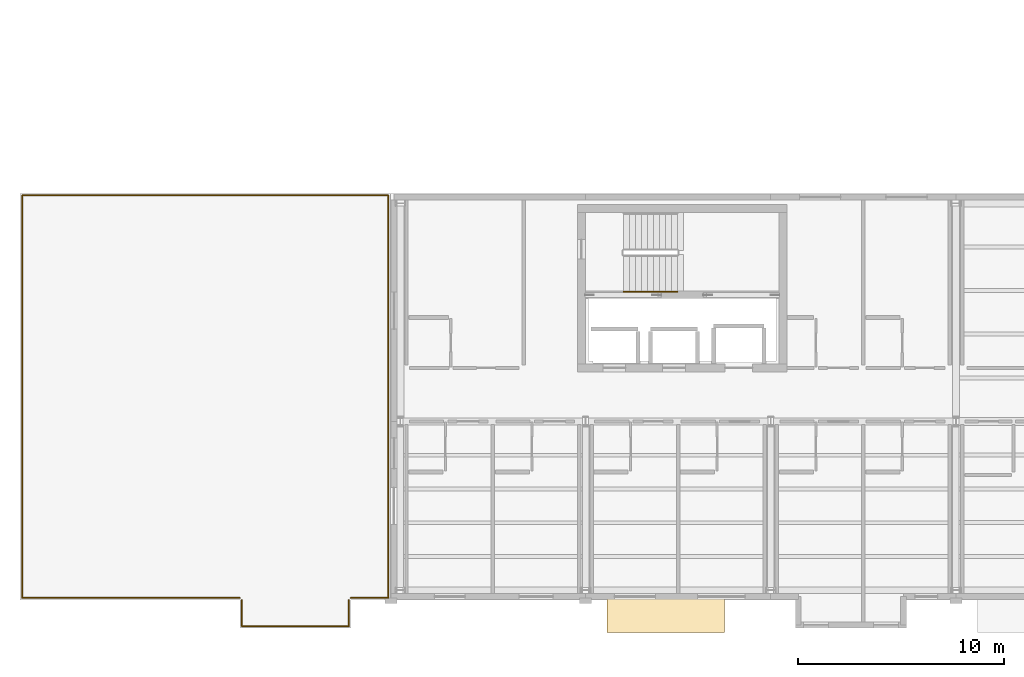
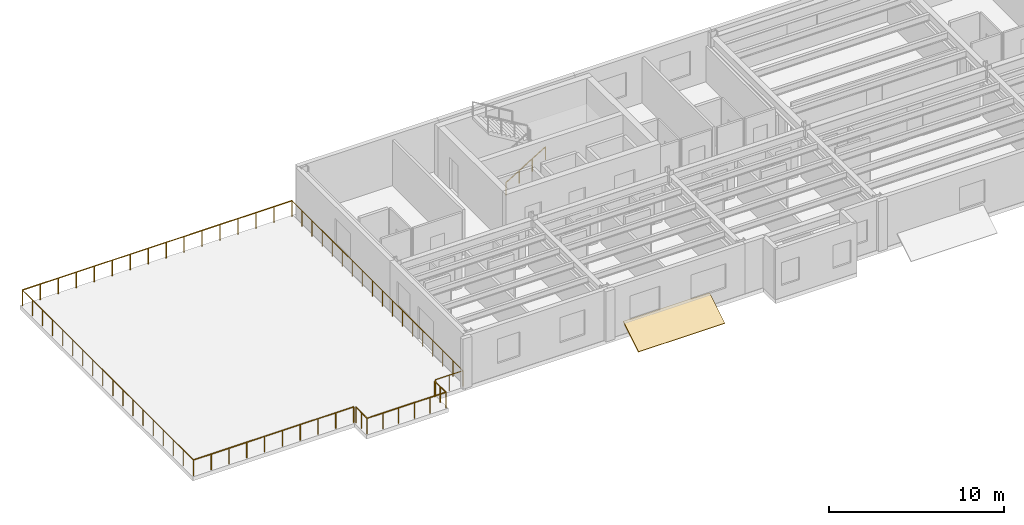
# One storey, part 14 of 17: 9 railings, 1 covering.
"""IFC4 building model written with IfcOpenShell, lengths in metres."""

import ifcopenshell
import ifcopenshell.guid

model = None  # the IFC model being written
_history = None  # IfcOwnerHistory: only IFC2X3 demands one
_inside = {}  # id of a spatial element -> (the spatial element, [elements in it])
_under = {}  # id of a project, library or spatial element -> (it, [spatial elements below it])
_declared = {}  # id of a project -> (the project, [libraries it declares])
_typed = {}  # id of a type object -> (the type object, [elements of that type])
_made_of = {}  # id of a material, layer set ... -> (it, [elements and type objects made of it])


def new_model(schema):
    """Start an empty IFC model of exactly this schema.

    Asked for "IFC4X3", IfcOpenShell would pick the latest addendum, in which some entities
    have other attributes; the version numbers below select the first issue.
    IFC2X3 requires an IfcOwnerHistory on every rooted entity: one is made here for all.
    """
    global model, _history
    if schema == "IFC4X3":
        model = ifcopenshell.file(schema_version=(4, 3, 0, 0))
    else:
        model = ifcopenshell.file(schema=schema)
    _inside.clear()
    _under.clear()
    _declared.clear()
    _typed.clear()
    _made_of.clear()
    _history = None
    if model.schema == "IFC2X3":
        org = make("IfcOrganization", Name="unknown")
        user = make(
            "IfcPersonAndOrganization",
            ThePerson=make("IfcPerson", FamilyName="unknown"),
            TheOrganization=org,
        )
        app = make(
            "IfcApplication",
            ApplicationDeveloper=org,
            Version="unknown",
            ApplicationFullName="unknown",
            ApplicationIdentifier="unknown",
        )
        _history = make(
            "IfcOwnerHistory",
            OwningUser=user,
            OwningApplication=app,
            ChangeAction="ADDED",
            CreationDate=0,
        )
    return model


def make(cls, **values):
    """One entity of the class cls with the attributes given. An attribute that is None is left unset."""
    return model.create_entity(
        cls, **{name: value for name, value in values.items() if value is not None}
    )


def rooted(cls, **values):
    """An entity with a GlobalId (a new one), such as an element, a storey or a relation."""
    return make(cls, GlobalId=ifcopenshell.guid.new(), OwnerHistory=_history, **values)


def si_unit(unit_type, name, prefix=None):
    """IfcSIUnit, for example si_unit("LENGTHUNIT", "METRE", prefix="MILLI")."""
    return make("IfcSIUnit", UnitType=unit_type, Prefix=prefix, Name=name)


def assignment(units):
    """IfcUnitAssignment: the units of a project."""
    return None if units is None else make("IfcUnitAssignment", Units=units)


def point(xyz):
    """IfcCartesianPoint."""
    return None if xyz is None else make("IfcCartesianPoint", Coordinates=xyz)


def direction(xyz):
    """IfcDirection."""
    return None if xyz is None else make("IfcDirection", DirectionRatios=xyz)


def frame(location, z_axis=None, x_axis=None):
    """IfcAxis2Placement3D, a coordinate frame: its origin and axes. An axis left out is left unset."""
    return make(
        "IfcAxis2Placement3D",
        Location=point(location),
        Axis=direction(z_axis),
        RefDirection=direction(x_axis),
    )


def frame_2d(location, x_axis=None):
    """IfcAxis2Placement2D, a coordinate frame in the plane: its origin and x axis."""
    return make(
        "IfcAxis2Placement2D", Location=point(location), RefDirection=direction(x_axis)
    )


def origin():
    """The frame at (0, 0, 0) with its axes left unset."""
    return frame((0.0, 0.0, 0.0))


def origin_2d():
    """The frame at (0, 0) in the plane with its x axis left unset."""
    return frame_2d((0.0, 0.0))


def place(relative_to, where):
    """IfcLocalPlacement: puts the frame where relative to a parent placement (None: the world)."""
    return make(
        "IfcLocalPlacement", PlacementRelTo=relative_to, RelativePlacement=where
    )


def context(
    kind, dimensions, precision=None, world=None, true_north=None, identifier=None
):
    """IfcGeometricRepresentationContext, for example the 3D "Model" context."""
    return make(
        "IfcGeometricRepresentationContext",
        ContextIdentifier=identifier,
        ContextType=kind,
        CoordinateSpaceDimension=dimensions,
        Precision=precision,
        WorldCoordinateSystem=world,
        TrueNorth=true_north,
    )


def subcontext(parent, identifier, kind, view, scale=None):
    """IfcGeometricRepresentationSubContext, for example "Body" below "Model"."""
    return make(
        "IfcGeometricRepresentationSubContext",
        ContextIdentifier=identifier,
        ContextType=kind,
        ParentContext=parent,
        TargetScale=scale,
        TargetView=view,
    )


def project(units=None, contexts=None):
    """IfcProject with its units and contexts."""
    return rooted(
        "IfcProject",
        Name="project",
        RepresentationContexts=contexts,
        UnitsInContext=assignment(units),
    )


def spatial(cls, under=None, at=None, **own):
    """A site, building, storey or space (cls), placed at a placement, below another one or the project."""
    s = rooted(cls, ObjectPlacement=at, **own)
    if under is not None:
        _under.setdefault(under.id(), (under, []))[1].append(s)
    return s


def polyline(points):
    """IfcPolyline through the points."""
    return make("IfcPolyline", Points=[point(p) for p in points])


def profile(cls, at=None, kind="AREA", **sizes):
    """A parametric profile (cls). Its sizes go by their IFC names, for example OverallWidth=200.0."""
    return make(cls, ProfileType=kind, Position=at, **sizes)


def circle(**sizes):
    """IfcCircleProfileDef."""
    return profile("IfcCircleProfileDef", **sizes)


def outline(outer, holes=None, kind="AREA"):
    """IfcArbitraryClosedProfileDef: a profile drawn as a closed curve; with holes, ...WithVoids."""
    if holes is None:
        return make("IfcArbitraryClosedProfileDef", ProfileType=kind, OuterCurve=outer)
    return make(
        "IfcArbitraryProfileDefWithVoids",
        ProfileType=kind,
        OuterCurve=outer,
        InnerCurves=holes,
    )


def extrude(swept, where, along, depth):
    """IfcExtrudedAreaSolid: the profile swept, set in the frame where, extruded along a direction by depth."""
    return make(
        "IfcExtrudedAreaSolid",
        SweptArea=swept,
        Position=where,
        ExtrudedDirection=direction(along),
        Depth=depth,
    )


def shape(context_of_items, identifier, shape_type, items):
    """IfcShapeRepresentation: the items that make up one representation, for example the "Body"."""
    return make(
        "IfcShapeRepresentation",
        ContextOfItems=context_of_items,
        RepresentationIdentifier=identifier,
        RepresentationType=shape_type,
        Items=items,
    )


def material(Name=None, Category=None):
    """IfcMaterial."""
    return make("IfcMaterial", Name=Name, Category=Category)


def layer(
    of_material, thickness, ventilated=None, Name=None, Category=None, Priority=None
):
    """IfcMaterialLayer: one layer of a wall or slab, of a material (None: an air gap)."""
    return make(
        "IfcMaterialLayer",
        Material=of_material,
        LayerThickness=thickness,
        IsVentilated=ventilated,
        Name=Name,
        Category=Category,
        Priority=Priority,
    )


def layer_set(layers, Name=None):
    """IfcMaterialLayerSet."""
    return make("IfcMaterialLayerSet", MaterialLayers=layers, LayerSetName=Name)


def made_of(thing, what):
    """Note that an element or type object is made of a material, layer set ...; save() writes the relation."""
    if what is not None:
        _made_of.setdefault(what.id(), (what, []))[1].append(thing)
    return thing


def type_object(cls, material=None, **own):
    """A type object (cls), such as IfcWallType, which elements share."""
    return made_of(rooted(cls, **own), material)


def element(
    cls,
    number,
    at=None,
    inside=None,
    cuts=None,
    type_object=None,
    material=None,
    context=None,
    identifier="Body",
    shape_type=None,
    held_by="IfcProductDefinitionShape",
    body=None,
    shapes=None,
    **own,
):
    """One element of the class cls, such as IfcWall. Its Tag is "e" and its number.

    at: its placement. inside: the storey or other place that contains it. cuts: it is an
    opening in that element (IfcRelVoidsElement). A single representation is given by context,
    identifier, shape_type and body (its items); several are given by shapes. held_by: the class
    of the entity that holds the representations. save() writes the other relations.
    """
    e = rooted(cls, Tag="e%d" % number, ObjectPlacement=at, **own)
    if body is not None:
        shapes = [shape(context, identifier, shape_type, body)]
    if shapes is not None:
        e.Representation = make(held_by, Representations=shapes)
    if inside is not None:
        _inside.setdefault(inside.id(), (inside, []))[1].append(e)
    if cuts is not None:
        rooted(
            "IfcRelVoidsElement", RelatingBuildingElement=cuts, RelatedOpeningElement=e
        )
    if type_object is not None:
        _typed.setdefault(type_object.id(), (type_object, []))[1].append(e)
    return made_of(e, material)


def aggregate(whole, parts):
    """IfcRelAggregates: a whole, such as a stair, and the parts it consists of."""
    return rooted("IfcRelAggregates", RelatingObject=whole, RelatedObjects=parts)


def save(model, path):
    """Write the relations noted so far, then the file.

    IfcRelAggregates (storeys below a building ...), IfcRelContainedInSpatialStructure (elements
    in a storey), IfcRelDefinesByType, IfcRelAssociatesMaterial and IfcRelDeclares: one each for
    every whole, place, type object, material and project.
    """
    for whole, parts in _under.values():
        aggregate(whole, parts)
    for where, things in _inside.values():
        rooted(
            "IfcRelContainedInSpatialStructure",
            RelatedElements=things,
            RelatingStructure=where,
        )
    for kind, things in _typed.values():
        rooted("IfcRelDefinesByType", RelatedObjects=things, RelatingType=kind)
    for what, things in _made_of.values():
        rooted("IfcRelAssociatesMaterial", RelatedObjects=things, RelatingMaterial=what)
    for by, libraries in _declared.values():
        rooted("IfcRelDeclares", RelatingContext=by, RelatedDefinitions=libraries)
    model.write(path)


model = new_model("IFC4")

# Units and contexts
model_context = context("Model", 3, precision=1e-05, world=origin(), true_north=direction((0.0, 1.0)))
body_context = subcontext(model_context, "Body", "Model", "MODEL_VIEW")
ifc_project = project(units=[si_unit("LENGTHUNIT", "METRE"), si_unit("AREAUNIT", "SQUARE_METRE"), si_unit("VOLUMEUNIT", "CUBIC_METRE"), si_unit("PLANEANGLEUNIT", "RADIAN"), si_unit("MASSUNIT", "GRAM", prefix="KILO")], contexts=[model_context])

# Site, building, storey
site_placement = place(None, origin())
site = spatial("IfcSite", under=ifc_project, at=site_placement, CompositionType="ELEMENT")
building_placement = place(site_placement, origin())
building = spatial("IfcBuilding", under=site, at=building_placement, Name="Sollismere Congress Hotel", CompositionType="ELEMENT")
storey_placement = place(building_placement, frame((0.0, 0.0, 41.10009765625)))
storey = spatial("IfcBuildingStorey", under=building, at=storey_placement, Name="L10", CompositionType="ELEMENT", Elevation=41.10009765625)

# Covering
ifc_material_1 = material(Name="Standing-Seam Titanium-Zinc Roof Assembly")
ifc_layer = layer(ifc_material_1, 0.054931640625, Name="Standing-Seam Titanium-Zinc Roof Assembly")
ifc_layer_set = layer_set([ifc_layer], Name="Standing-Seam Titanium-Zinc Roof Assembly")
covering_type = type_object("IfcCoveringType", Name="CV-RFZNC", PredefinedType="ROOFING", material=ifc_layer_set)
covering_placement = place(storey_placement, frame((95.050048828125, -2.008056640625, -0.36328125), z_axis=(0.0, -0.525209771298, 0.850972794003), x_axis=(1.0, 0.0, 0.0)))
element("IfcCovering", 1, at=covering_placement, inside=storey, type_object=covering_type, Name="Cikma bay sacak hood SL-CKH-28", PredefinedType="ROOFING", context=body_context, shape_type="SweptSolid", body=[
    extrude(outline(polyline([(0.0, 0.0), (5.699951171875, 0.0), (5.699951171875, 2.056396484375), (0.0, 2.056396484375), (0.0, 0.0)])), origin(), (0.0, 0.0, 1.0), 0.080078125),
])

# Railings
ifc_material_2 = material(Name="Laminated Safety Glass & Bronze Cap Rail", Category="glass")
railing_type_1 = type_object("IfcRailingType", Name="RL-GD112", PredefinedType="GUARDRAIL", material=ifc_material_2)
railing_1_placement = place(storey_placement, frame((82.5, -1.75, 0.0)))
element("IfcRailing", 2, at=railing_1_placement, inside=storey, type_object=railing_type_1, Name="RLG-GD-L10-024", PredefinedType="GUARDRAIL", context=body_context, shape_type="SweptSolid", body=[
    extrude(circle(Radius=0.02392578125, at=origin_2d()), frame((0.0, 0.0, 1.09619140625), z_axis=(-1.0, 0.0, 0.0), x_axis=(0.0, -1.0, 0.0)), (0.0, 0.0, 1.0), 5.199951171875),
    extrude(circle(Radius=0.02099609375, at=origin_2d()), origin(), (0.0, 0.0, 1.0), 1.072021484375),
    extrude(circle(Radius=0.02099609375, at=origin_2d()), frame((-1.0400390625, 0.0, 0.0)), (0.0, 0.0, 1.0), 1.072021484375),
    extrude(circle(Radius=0.02099609375, at=origin_2d()), frame((-2.080078125, 0.0, 0.0)), (0.0, 0.0, 1.0), 1.072021484375),
    extrude(circle(Radius=0.02099609375, at=origin_2d()), frame((-3.119873046875, 0.0, 0.0)), (0.0, 0.0, 1.0), 1.072021484375),
    extrude(circle(Radius=0.02099609375, at=origin_2d()), frame((-4.159912109375, 0.0, 0.0)), (0.0, 0.0, 1.0), 1.072021484375),
    extrude(circle(Radius=0.02099609375, at=origin_2d()), frame((-5.199951171875, 0.0, 0.0)), (0.0, 0.0, 1.0), 1.072021484375),
])
railing_2_placement = place(storey_placement, frame((77.300048828125, -1.75, 0.0)))
element("IfcRailing", 3, at=railing_2_placement, inside=storey, type_object=railing_type_1, Name="RLG-GD-L10-025", PredefinedType="GUARDRAIL", context=body_context, shape_type="SweptSolid", body=[
    extrude(circle(Radius=0.02392578125, at=origin_2d()), frame((0.0, 0.0, 1.09619140625), z_axis=(0.0, 1.0, 0.0), x_axis=(-1.0, 0.0, 0.0)), (0.0, 0.0, 1.0), 1.27001953125),
    extrude(circle(Radius=0.02099609375, at=origin_2d()), origin(), (0.0, 0.0, 1.0), 1.072021484375),
    extrude(circle(Radius=0.02099609375, at=origin_2d()), frame((0.0, 0.635009765625, 0.0)), (0.0, 0.0, 1.0), 1.072021484375),
    extrude(circle(Radius=0.02099609375, at=origin_2d()), frame((0.0, 1.27001953125, 0.0)), (0.0, 0.0, 1.0), 1.072021484375),
])
railing_3_placement = place(storey_placement, frame((77.199951171875, -0.3798828125, 0.0)))
element("IfcRailing", 4, at=railing_3_placement, inside=storey, type_object=railing_type_1, Name="RLG-GD-L10-026", PredefinedType="GUARDRAIL", context=body_context, shape_type="SweptSolid", body=[
    extrude(circle(Radius=0.02392578125, at=origin_2d()), frame((0.0, 0.0, 1.09619140625), z_axis=(-1.0, 0.0, 0.0), x_axis=(0.0, -1.0, 0.0)), (0.0, 0.0, 1.0), 10.579833984375),
    extrude(circle(Radius=0.02099609375, at=origin_2d()), origin(), (0.0, 0.0, 1.0), 1.072021484375),
    extrude(circle(Radius=0.02099609375, at=origin_2d()), frame((-1.175537109375, 0.0, 0.0)), (0.0, 0.0, 1.0), 1.072021484375),
    extrude(circle(Radius=0.02099609375, at=origin_2d()), frame((-2.35107421875, 0.0, 0.0)), (0.0, 0.0, 1.0), 1.072021484375),
    extrude(circle(Radius=0.02099609375, at=origin_2d()), frame((-3.526611328125, 0.0, 0.0)), (0.0, 0.0, 1.0), 1.072021484375),
    extrude(circle(Radius=0.02099609375, at=origin_2d()), frame((-4.7021484375, 0.0, 0.0)), (0.0, 0.0, 1.0), 1.072021484375),
    extrude(circle(Radius=0.02099609375, at=origin_2d()), frame((-5.877685546875, 0.0, 0.0)), (0.0, 0.0, 1.0), 1.072021484375),
    extrude(circle(Radius=0.02099609375, at=origin_2d()), frame((-7.05322265625, 0.0, 0.0)), (0.0, 0.0, 1.0), 1.072021484375),
    extrude(circle(Radius=0.02099609375, at=origin_2d()), frame((-8.228759765625, 0.0, 0.0)), (0.0, 0.0, 1.0), 1.072021484375),
    extrude(circle(Radius=0.02099609375, at=origin_2d()), frame((-9.404296875, 0.0, 0.0)), (0.0, 0.0, 1.0), 1.072021484375),
    extrude(circle(Radius=0.02099609375, at=origin_2d()), frame((-10.579833984375, 0.0, 0.0)), (0.0, 0.0, 1.0), 1.072021484375),
])
railing_4_placement = place(storey_placement, frame((66.6201171875, -0.3798828125, 0.0)))
element("IfcRailing", 5, at=railing_4_placement, inside=storey, type_object=railing_type_1, Name="RLG-GD-L10-027", PredefinedType="GUARDRAIL", context=body_context, shape_type="SweptSolid", body=[
    extrude(circle(Radius=0.02392578125, at=origin_2d()), frame((0.0, 0.0, 1.09619140625), z_axis=(0.0, 1.0, 0.0), x_axis=(-1.0, 0.0, 0.0)), (0.0, 0.0, 1.0), 19.559814453125),
    extrude(circle(Radius=0.02099609375, at=origin_2d()), origin(), (0.0, 0.0, 1.0), 1.072021484375),
    extrude(circle(Radius=0.02099609375, at=origin_2d()), frame((0.0, 1.150634765625, 0.0)), (0.0, 0.0, 1.0), 1.072021484375),
    extrude(circle(Radius=0.02099609375, at=origin_2d()), frame((0.0, 2.30126953125, 0.0)), (0.0, 0.0, 1.0), 1.072021484375),
    extrude(circle(Radius=0.02099609375, at=origin_2d()), frame((0.0, 3.45166015625, 0.0)), (0.0, 0.0, 1.0), 1.072021484375),
    extrude(circle(Radius=0.02099609375, at=origin_2d()), frame((0.0, 4.602294921875, 0.0)), (0.0, 0.0, 1.0), 1.072021484375),
    extrude(circle(Radius=0.02099609375, at=origin_2d()), frame((0.0, 5.7529296875, 0.0)), (0.0, 0.0, 1.0), 1.072021484375),
    extrude(circle(Radius=0.02099609375, at=origin_2d()), frame((0.0, 6.903564453125, 0.0)), (0.0, 0.0, 1.0), 1.072021484375),
    extrude(circle(Radius=0.02099609375, at=origin_2d()), frame((0.0, 8.053955078125, 0.0)), (0.0, 0.0, 1.0), 1.072021484375),
    extrude(circle(Radius=0.02099609375, at=origin_2d()), frame((0.0, 9.20458984375, 0.0)), (0.0, 0.0, 1.0), 1.072021484375),
    extrude(circle(Radius=0.02099609375, at=origin_2d()), frame((0.0, 10.355224609375, 0.0)), (0.0, 0.0, 1.0), 1.072021484375),
    extrude(circle(Radius=0.02099609375, at=origin_2d()), frame((0.0, 11.505859375, 0.0)), (0.0, 0.0, 1.0), 1.072021484375),
    extrude(circle(Radius=0.02099609375, at=origin_2d()), frame((0.0, 12.65625, 0.0)), (0.0, 0.0, 1.0), 1.072021484375),
    extrude(circle(Radius=0.02099609375, at=origin_2d()), frame((0.0, 13.806884765625, 0.0)), (0.0, 0.0, 1.0), 1.072021484375),
    extrude(circle(Radius=0.02099609375, at=origin_2d()), frame((0.0, 14.95751953125, 0.0)), (0.0, 0.0, 1.0), 1.072021484375),
    extrude(circle(Radius=0.02099609375, at=origin_2d()), frame((0.0, 16.108154296875, 0.0)), (0.0, 0.0, 1.0), 1.072021484375),
    extrude(circle(Radius=0.02099609375, at=origin_2d()), frame((0.0, 17.258544921875, 0.0)), (0.0, 0.0, 1.0), 1.072021484375),
    extrude(circle(Radius=0.02099609375, at=origin_2d()), frame((0.0, 18.4091796875, 0.0)), (0.0, 0.0, 1.0), 1.072021484375),
    extrude(circle(Radius=0.02099609375, at=origin_2d()), frame((0.0, 19.559814453125, 0.0)), (0.0, 0.0, 1.0), 1.072021484375),
])
railing_5_placement = place(storey_placement, frame((66.6201171875, 19.179931640625, 0.0)))
element("IfcRailing", 6, at=railing_5_placement, inside=storey, type_object=railing_type_1, Name="RLG-GD-L10-028", PredefinedType="GUARDRAIL", context=body_context, shape_type="SweptSolid", body=[
    extrude(circle(Radius=0.02392578125, at=origin_2d()), frame((0.0, 0.0, 1.09619140625), z_axis=(1.0, 0.0, 0.0), x_axis=(0.0, 1.0, 0.0)), (0.0, 0.0, 1.0), 17.7998046875),
    extrude(circle(Radius=0.02099609375, at=origin_2d()), origin(), (0.0, 0.0, 1.0), 1.072021484375),
    extrude(circle(Radius=0.02099609375, at=origin_2d()), frame((1.186767578125, 0.0, 0.0)), (0.0, 0.0, 1.0), 1.072021484375),
    extrude(circle(Radius=0.02099609375, at=origin_2d()), frame((2.373291015625, 0.0, 0.0)), (0.0, 0.0, 1.0), 1.072021484375),
    extrude(circle(Radius=0.02099609375, at=origin_2d()), frame((3.56005859375, 0.0, 0.0)), (0.0, 0.0, 1.0), 1.072021484375),
    extrude(circle(Radius=0.02099609375, at=origin_2d()), frame((4.74658203125, 0.0, 0.0)), (0.0, 0.0, 1.0), 1.072021484375),
    extrude(circle(Radius=0.02099609375, at=origin_2d()), frame((5.933349609375, 0.0, 0.0)), (0.0, 0.0, 1.0), 1.072021484375),
    extrude(circle(Radius=0.02099609375, at=origin_2d()), frame((7.119873046875, 0.0, 0.0)), (0.0, 0.0, 1.0), 1.072021484375),
    extrude(circle(Radius=0.02099609375, at=origin_2d()), frame((8.306640625, 0.0, 0.0)), (0.0, 0.0, 1.0), 1.072021484375),
    extrude(circle(Radius=0.02099609375, at=origin_2d()), frame((9.4931640625, 0.0, 0.0)), (0.0, 0.0, 1.0), 1.072021484375),
    extrude(circle(Radius=0.02099609375, at=origin_2d()), frame((10.679931640625, 0.0, 0.0)), (0.0, 0.0, 1.0), 1.072021484375),
    extrude(circle(Radius=0.02099609375, at=origin_2d()), frame((11.866455078125, 0.0, 0.0)), (0.0, 0.0, 1.0), 1.072021484375),
    extrude(circle(Radius=0.02099609375, at=origin_2d()), frame((13.05322265625, 0.0, 0.0)), (0.0, 0.0, 1.0), 1.072021484375),
    extrude(circle(Radius=0.02099609375, at=origin_2d()), frame((14.23974609375, 0.0, 0.0)), (0.0, 0.0, 1.0), 1.072021484375),
    extrude(circle(Radius=0.02099609375, at=origin_2d()), frame((15.426513671875, 0.0, 0.0)), (0.0, 0.0, 1.0), 1.072021484375),
    extrude(circle(Radius=0.02099609375, at=origin_2d()), frame((16.613037109375, 0.0, 0.0)), (0.0, 0.0, 1.0), 1.072021484375),
    extrude(circle(Radius=0.02099609375, at=origin_2d()), frame((17.7998046875, 0.0, 0.0)), (0.0, 0.0, 1.0), 1.072021484375),
])
railing_6_placement = place(storey_placement, frame((84.419921875, 19.179931640625, 0.0)))
element("IfcRailing", 7, at=railing_6_placement, inside=storey, type_object=railing_type_1, Name="RLG-GD-L10-029", PredefinedType="GUARDRAIL", context=body_context, shape_type="SweptSolid", body=[
    extrude(circle(Radius=0.02392578125, at=origin_2d()), frame((0.0, 0.0, 1.09619140625), z_axis=(0.0, -1.0, 0.0), x_axis=(1.0, 0.0, 0.0)), (0.0, 0.0, 1.0), 19.559814453125),
    extrude(circle(Radius=0.02099609375, at=origin_2d()), origin(), (0.0, 0.0, 1.0), 1.072021484375),
    extrude(circle(Radius=0.02099609375, at=origin_2d()), frame((0.0, -1.150634765625, 0.0)), (0.0, 0.0, 1.0), 1.072021484375),
    extrude(circle(Radius=0.02099609375, at=origin_2d()), frame((0.0, -2.30126953125, 0.0)), (0.0, 0.0, 1.0), 1.072021484375),
    extrude(circle(Radius=0.02099609375, at=origin_2d()), frame((0.0, -3.45166015625, 0.0)), (0.0, 0.0, 1.0), 1.072021484375),
    extrude(circle(Radius=0.02099609375, at=origin_2d()), frame((0.0, -4.602294921875, 0.0)), (0.0, 0.0, 1.0), 1.072021484375),
    extrude(circle(Radius=0.02099609375, at=origin_2d()), frame((0.0, -5.7529296875, 0.0)), (0.0, 0.0, 1.0), 1.072021484375),
    extrude(circle(Radius=0.02099609375, at=origin_2d()), frame((0.0, -6.903564453125, 0.0)), (0.0, 0.0, 1.0), 1.072021484375),
    extrude(circle(Radius=0.02099609375, at=origin_2d()), frame((0.0, -8.053955078125, 0.0)), (0.0, 0.0, 1.0), 1.072021484375),
    extrude(circle(Radius=0.02099609375, at=origin_2d()), frame((0.0, -9.20458984375, 0.0)), (0.0, 0.0, 1.0), 1.072021484375),
    extrude(circle(Radius=0.02099609375, at=origin_2d()), frame((0.0, -10.355224609375, 0.0)), (0.0, 0.0, 1.0), 1.072021484375),
    extrude(circle(Radius=0.02099609375, at=origin_2d()), frame((0.0, -11.505859375, 0.0)), (0.0, 0.0, 1.0), 1.072021484375),
    extrude(circle(Radius=0.02099609375, at=origin_2d()), frame((0.0, -12.65625, 0.0)), (0.0, 0.0, 1.0), 1.072021484375),
    extrude(circle(Radius=0.02099609375, at=origin_2d()), frame((0.0, -13.806884765625, 0.0)), (0.0, 0.0, 1.0), 1.072021484375),
    extrude(circle(Radius=0.02099609375, at=origin_2d()), frame((0.0, -14.95751953125, 0.0)), (0.0, 0.0, 1.0), 1.072021484375),
    extrude(circle(Radius=0.02099609375, at=origin_2d()), frame((0.0, -16.108154296875, 0.0)), (0.0, 0.0, 1.0), 1.072021484375),
    extrude(circle(Radius=0.02099609375, at=origin_2d()), frame((0.0, -17.258544921875, 0.0)), (0.0, 0.0, 1.0), 1.072021484375),
    extrude(circle(Radius=0.02099609375, at=origin_2d()), frame((0.0, -18.4091796875, 0.0)), (0.0, 0.0, 1.0), 1.072021484375),
    extrude(circle(Radius=0.02099609375, at=origin_2d()), frame((0.0, -19.559814453125, 0.0)), (0.0, 0.0, 1.0), 1.072021484375),
])
railing_7_placement = place(storey_placement, frame((84.419921875, -0.3798828125, 0.0)))
element("IfcRailing", 8, at=railing_7_placement, inside=storey, type_object=railing_type_1, Name="RLG-GD-L10-030", PredefinedType="GUARDRAIL", context=body_context, shape_type="SweptSolid", body=[
    extrude(circle(Radius=0.02392578125, at=origin_2d()), frame((0.0, 0.0, 1.09619140625), z_axis=(-1.0, 0.0, 0.0), x_axis=(0.0, -1.0, 0.0)), (0.0, 0.0, 1.0), 1.81982421875),
    extrude(circle(Radius=0.02099609375, at=origin_2d()), origin(), (0.0, 0.0, 1.0), 1.072021484375),
    extrude(circle(Radius=0.02099609375, at=origin_2d()), frame((-0.909912109375, 0.0, 0.0)), (0.0, 0.0, 1.0), 1.072021484375),
    extrude(circle(Radius=0.02099609375, at=origin_2d()), frame((-1.81982421875, 0.0, 0.0)), (0.0, 0.0, 1.0), 1.072021484375),
])
railing_8_placement = place(storey_placement, frame((82.5, -0.47998046875, 0.0)))
element("IfcRailing", 9, at=railing_8_placement, inside=storey, type_object=railing_type_1, Name="RLG-GD-L10-031", PredefinedType="GUARDRAIL", context=body_context, shape_type="SweptSolid", body=[
    extrude(circle(Radius=0.02392578125, at=origin_2d()), frame((0.0, 0.0, 1.09619140625), z_axis=(0.0, -1.0, 0.0), x_axis=(1.0, 0.0, 0.0)), (0.0, 0.0, 1.0), 1.27001953125),
    extrude(circle(Radius=0.02099609375, at=origin_2d()), origin(), (0.0, 0.0, 1.0), 1.072021484375),
    extrude(circle(Radius=0.02099609375, at=origin_2d()), frame((0.0, -0.635009765625, 0.0)), (0.0, 0.0, 1.0), 1.072021484375),
    extrude(circle(Radius=0.02099609375, at=origin_2d()), frame((0.0, -1.27001953125, 0.0)), (0.0, 0.0, 1.0), 1.072021484375),
])
ifc_material_3 = material(Name="Brushed Architectural Bronze")
railing_type_2 = type_object("IfcRailingType", Name="RL-HND90", PredefinedType="HANDRAIL", material=ifc_material_3)
railing_9_placement = place(storey_placement, frame((95.85009765625, 14.5, 0.325927734375)))
element("IfcRailing", 10, at=railing_9_placement, inside=storey, type_object=railing_type_2, Name="RLG-RH-ST-02-L10-1", PredefinedType="HANDRAIL", context=body_context, shape_type="SweptSolid", body=[
    extrude(circle(Radius=0.02392578125, at=origin_2d()), frame((0.0, 0.0, 0.8759765625), z_axis=(0.85618277418, 0.0, 0.516673066065), x_axis=(0.0, 1.0, 0.0)), (0.0, 0.0, 1.0), 3.04833984375),
    extrude(circle(Radius=0.02099609375, at=origin_2d()), origin(), (0.0, 0.0, 1.0), 0.851806640625),
    extrude(circle(Radius=0.02099609375, at=origin_2d()), frame((0.869873046875, 0.0, 0.52490234375)), (0.0, 0.0, 1.0), 0.851806640625),
    extrude(circle(Radius=0.02099609375, at=origin_2d()), frame((1.739990234375, 0.0, 1.050048828125)), (0.0, 0.0, 1.0), 0.851806640625),
    extrude(circle(Radius=0.02099609375, at=origin_2d()), frame((2.60986328125, 0.0, 1.574951171875)), (0.0, 0.0, 1.0), 0.851806640625),
])

save(model, "model.ifc")
